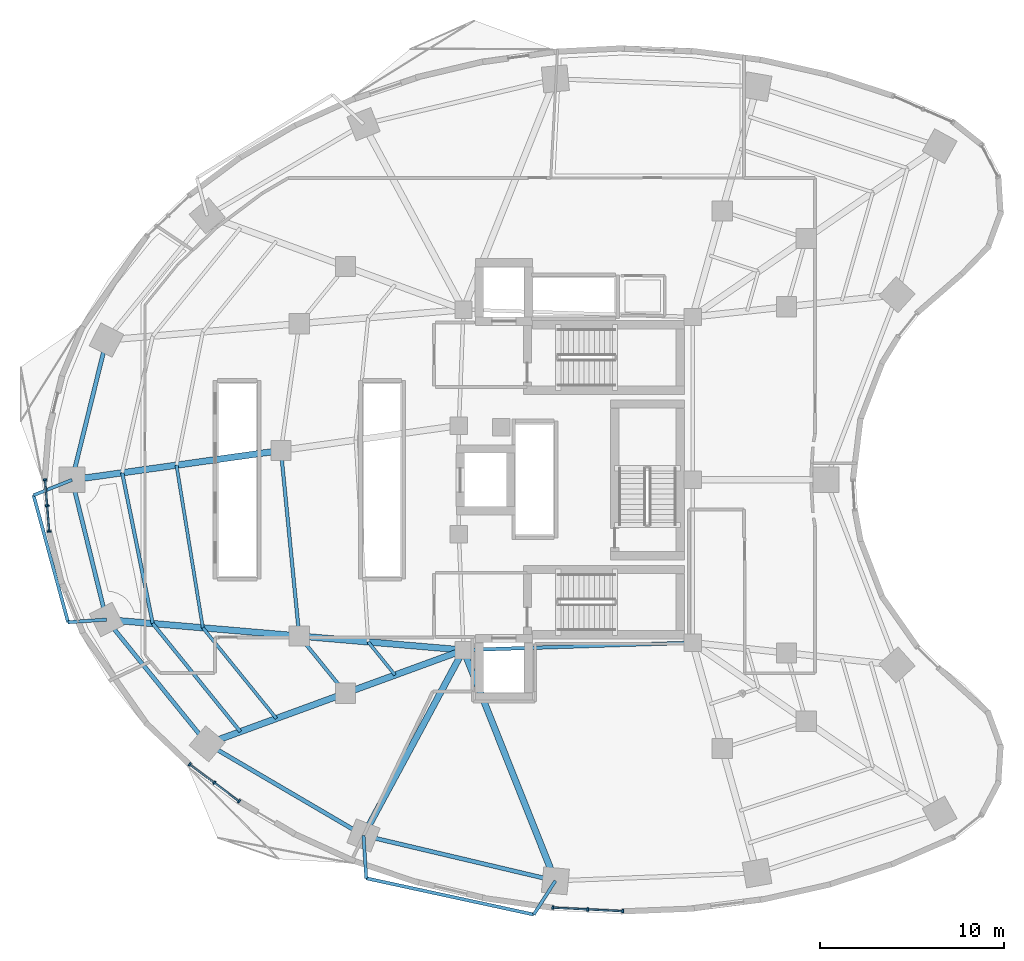
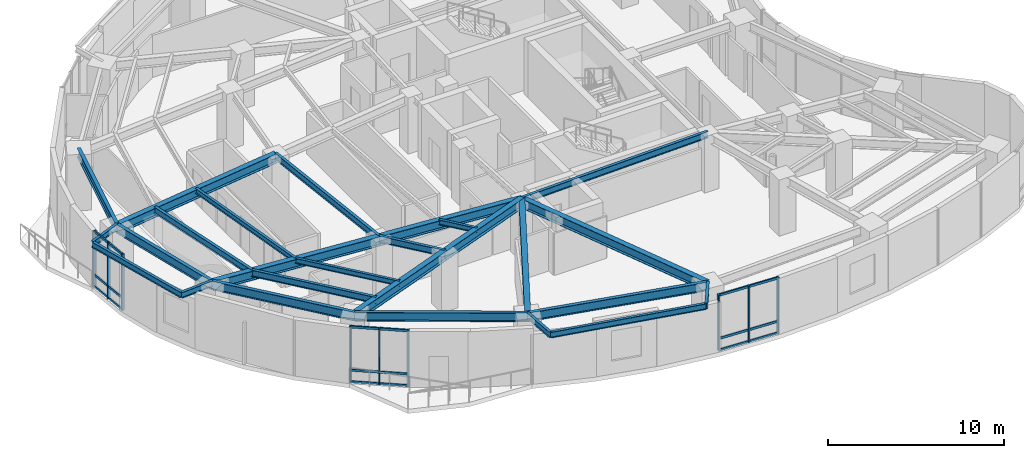
# One storey, part 2 of 13: 27 members, 26 beams, 3 elements without a shape of their own.
"""IFC4 building model written with IfcOpenShell, lengths in metres."""

from ifc_helpers import new_model, si_unit, direction, frame, origin, origin_2d, place, context, subcontext, project, spatial, rectangle, i_section, extrude, material, layer, layer_set, material_profile, profile_set, type_object, element, aggregate, save


model = new_model("IFC4")

# Units and contexts
model_context = context("Model", 3, precision=1e-05, world=origin(), true_north=direction((0.0, 1.0)))
body_context = subcontext(model_context, "Body", "Model", "MODEL_VIEW")
ifc_project = project(units=[si_unit("LENGTHUNIT", "METRE"), si_unit("AREAUNIT", "SQUARE_METRE"), si_unit("VOLUMEUNIT", "CUBIC_METRE"), si_unit("PLANEANGLEUNIT", "RADIAN"), si_unit("MASSUNIT", "GRAM", prefix="KILO")], contexts=[model_context])

# Site, building, storey
site_placement = place(None, origin())
site = spatial("IfcSite", under=ifc_project, at=site_placement, CompositionType="ELEMENT")
building_placement = place(site_placement, origin())
building = spatial("IfcBuilding", under=site, at=building_placement, Name="Korentha Bioscience Tower", CompositionType="ELEMENT")
storey_placement = place(building_placement, frame((0.0, 0.0, 67.800048828125)))
storey = spatial("IfcBuildingStorey", under=building, at=storey_placement, Name="L15", CompositionType="ELEMENT", Elevation=67.800048828125)

# Beams
ifc_material_1 = material(Name="Steel S355", Category="steel")
ifc_material_profile_1 = material_profile(ifc_material_1, i_section(OverallWidth=0.18994140625, OverallDepth=0.45703125, WebThickness=0.009033203125, FlangeThickness=0.014404296875, at=origin_2d()), Name="Steel S355")
ifc_profile_set_1 = profile_set([ifc_material_profile_1], Name="Steel S355 (MB-460)")
beam_type_1 = type_object("IfcBeamType", Name="Mid-Ring Tie Girder W460x74", PredefinedType="BEAM", material=ifc_profile_set_1)
beam_1_placement = place(storey_placement, frame((15.1787109375, 28.593505859375, 3.67138671875), z_axis=(0.098243909277, -0.995162365793, 0.0), x_axis=(0.995162365793, 0.098243909277, 0.0)))
element("IfcBeam", 1, at=beam_1_placement, inside=storey, type_object=beam_type_1, Name="L15 Mid-Ring Tie Girder 07", PredefinedType="BEAM", context=body_context, shape_type="SweptSolid", body=[
    extrude(i_section(OverallWidth=0.18994140625, OverallDepth=0.45703125, WebThickness=0.009033203125, FlangeThickness=0.014404296875, at=origin_2d()), origin(), (0.0, 0.0, 1.0), 10.131591796875),
])
beam_2_placement = place(storey_placement, frame((16.174072265625, 18.510986328125, 3.67138671875), z_axis=(0.629790009744, -0.776765436684, 0.0), x_axis=(0.776765436684, 0.629790009744, 0.0)))
element("IfcBeam", 2, at=beam_2_placement, inside=storey, type_object=beam_type_1, Name="L15 Mid-Ring Tie Girder 08", PredefinedType="BEAM", context=body_context, shape_type="SweptSolid", body=[
    extrude(i_section(OverallWidth=0.18994140625, OverallDepth=0.45703125, WebThickness=0.009033203125, FlangeThickness=0.014404296875, at=origin_2d()), origin(), (0.0, 0.0, 1.0), 3.998291015625),
])
beam_3_placement = place(storey_placement, frame((25.10009765625, 17.75, 3.67138671875), z_axis=(0.999484526071, 0.032104238723, 0.0), x_axis=(-0.032104238723, 0.999484526071, 0.0)))
element("IfcBeam", 3, at=beam_3_placement, inside=storey, type_object=beam_type_1, Name="L15 Core Ring Tie Girder 05", PredefinedType="BEAM", context=body_context, shape_type="SweptSolid", body=[
    extrude(i_section(OverallWidth=0.18994140625, OverallDepth=0.45703125, WebThickness=0.009033203125, FlangeThickness=0.014404296875, at=origin_2d()), origin(), (0.0, 0.0, 1.0), 12.456298828125),
])

# Curtain wall, members
ifc_material_2 = material(Name="Thermally Broken Aluminium Frame", Category="aluminium")
ifc_layer = layer(ifc_material_2, 0.219970703125, Name="Thermally Broken Aluminium Frame")
ifc_layer_set = layer_set([ifc_layer], Name="Thermally Broken Aluminium Frame (CW-T1)")
curtain_wall_type = type_object("IfcCurtainWallType", Name="Standard Bioscience Lab Unitised Curtain Wall CW-T1", PredefinedType="USERDEFINED", material=ifc_layer_set)
curtain_wall_1_placement = place(storey_placement, origin())
curtain_wall_1 = element("IfcCurtainWall", 4, at=curtain_wall_1_placement, inside=storey, type_object=curtain_wall_type, Name="L15 Curtain Wall 19", ObjectType="UNITISED", PredefinedType="USERDEFINED")
ifc_material_3 = material(Name="Anodised Aluminium 6063-T6", Category="aluminium")
ifc_material_profile_2 = material_profile(ifc_material_3, rectangle(XDim=0.090087890625, YDim=0.199951171875, at=origin_2d()), Name="Anodised Aluminium 6063-T6")
ifc_profile_set_2 = profile_set([ifc_material_profile_2], Name="Anodised Aluminium 6063-T6 (CW-MUL)")
member_type_1 = type_object("IfcMemberType", Name="Mullion RECT 90x200", PredefinedType="MULLION", material=ifc_profile_set_2)
member_1_placement = place(storey_placement, frame((2.35986328125, 27.0078125, 0.0), z_axis=(0.0, 0.0, 1.0), x_axis=(0.080820466375, -0.996728675325, 0.0)))
member_1 = element("IfcMember", 5, at=member_1_placement, type_object=member_type_1, Name="CW-L15-19 Mullion 1", PredefinedType="MULLION", context=body_context, shape_type="SweptSolid", body=[
    extrude(rectangle(XDim=0.090087890625, YDim=0.199951171875, at=origin_2d()), origin(), (0.0, 0.0, 1.0), 3.89990234375),
])
member_2_placement = place(storey_placement, frame((2.474365234375, 25.597412109375, 0.0), z_axis=(0.0, 0.0, 1.0), x_axis=(0.080820466375, -0.996728675325, 0.0)))
member_2 = element("IfcMember", 6, at=member_2_placement, type_object=member_type_1, Name="CW-L15-19 Mullion 2", PredefinedType="MULLION", context=body_context, shape_type="SweptSolid", body=[
    extrude(rectangle(XDim=0.090087890625, YDim=0.199951171875, at=origin_2d()), origin(), (0.0, 0.0, 1.0), 3.89990234375),
])
member_3_placement = place(storey_placement, frame((2.588623046875, 24.187255859375, 0.0), z_axis=(0.0, 0.0, 1.0), x_axis=(0.080820466375, -0.996728675325, 0.0)))
member_3 = element("IfcMember", 7, at=member_3_placement, type_object=member_type_1, Name="CW-L15-19 Mullion 3", PredefinedType="MULLION", context=body_context, shape_type="SweptSolid", body=[
    extrude(rectangle(XDim=0.090087890625, YDim=0.199951171875, at=origin_2d()), origin(), (0.0, 0.0, 1.0), 3.89990234375),
])

curtain_wall_2_placement = place(storey_placement, origin())
curtain_wall_2 = element("IfcCurtainWall", 8, at=curtain_wall_2_placement, inside=storey, type_object=curtain_wall_type, Name="L15 Curtain Wall 25", ObjectType="UNITISED", PredefinedType="USERDEFINED")
member_4_placement = place(storey_placement, frame((10.2216796875, 11.538818359375, 0.0), z_axis=(0.0, 0.0, 1.0), x_axis=(0.800797909614, -0.598934644145, 0.0)))
member_4 = element("IfcMember", 9, at=member_4_placement, type_object=member_type_1, Name="CW-L15-25 Mullion 1", PredefinedType="MULLION", context=body_context, shape_type="SweptSolid", body=[
    extrude(rectangle(XDim=0.090087890625, YDim=0.199951171875, at=origin_2d()), origin(), (0.0, 0.0, 1.0), 3.89990234375),
])
member_5_placement = place(storey_placement, frame((11.5634765625, 10.53515625, 0.0), z_axis=(0.0, 0.0, 1.0), x_axis=(0.800797909614, -0.598934644145, 0.0)))
member_5 = element("IfcMember", 10, at=member_5_placement, type_object=member_type_1, Name="CW-L15-25 Mullion 2", PredefinedType="MULLION", context=body_context, shape_type="SweptSolid", body=[
    extrude(rectangle(XDim=0.090087890625, YDim=0.199951171875, at=origin_2d()), origin(), (0.0, 0.0, 1.0), 3.89990234375),
])
member_6_placement = place(storey_placement, frame((12.9052734375, 9.53173828125, 0.0), z_axis=(0.0, 0.0, 1.0), x_axis=(0.800797909614, -0.598934644145, 0.0)))
member_6 = element("IfcMember", 11, at=member_6_placement, type_object=member_type_1, Name="CW-L15-25 Mullion 3", PredefinedType="MULLION", context=body_context, shape_type="SweptSolid", body=[
    extrude(rectangle(XDim=0.090087890625, YDim=0.199951171875, at=origin_2d()), origin(), (0.0, 0.0, 1.0), 3.89990234375),
])

curtain_wall_3_placement = place(storey_placement, origin())
curtain_wall_3 = element("IfcCurtainWall", 12, at=curtain_wall_3_placement, inside=storey, type_object=curtain_wall_type, Name="L15 Curtain Wall 31", ObjectType="UNITISED", PredefinedType="USERDEFINED")
member_7_placement = place(storey_placement, frame((29.9541015625, 3.75244140625, 0.0), z_axis=(0.0, 0.0, 1.0), x_axis=(0.998730551641, -0.050371472279, 0.0)))
member_7 = element("IfcMember", 13, at=member_7_placement, type_object=member_type_1, Name="CW-L15-31 Mullion 1", PredefinedType="MULLION", context=body_context, shape_type="SweptSolid", body=[
    extrude(rectangle(XDim=0.090087890625, YDim=0.199951171875, at=origin_2d()), origin(), (0.0, 0.0, 1.0), 3.89990234375),
])
member_8_placement = place(storey_placement, frame((31.855224609375, 3.656494140625, 0.0), z_axis=(0.0, 0.0, 1.0), x_axis=(0.998730551641, -0.050371472279, 0.0)))
member_8 = element("IfcMember", 14, at=member_8_placement, type_object=member_type_1, Name="CW-L15-31 Mullion 2", PredefinedType="MULLION", context=body_context, shape_type="SweptSolid", body=[
    extrude(rectangle(XDim=0.090087890625, YDim=0.199951171875, at=origin_2d()), origin(), (0.0, 0.0, 1.0), 3.89990234375),
])
member_9_placement = place(storey_placement, frame((33.75634765625, 3.560791015625, 0.0), z_axis=(0.0, 0.0, 1.0), x_axis=(0.998730551641, -0.050371472279, 0.0)))
member_9 = element("IfcMember", 15, at=member_9_placement, type_object=member_type_1, Name="CW-L15-31 Mullion 3", PredefinedType="MULLION", context=body_context, shape_type="SweptSolid", body=[
    extrude(rectangle(XDim=0.090087890625, YDim=0.199951171875, at=origin_2d()), origin(), (0.0, 0.0, 1.0), 3.89990234375),
])

# Beams
ifc_material_profile_3 = material_profile(ifc_material_1, i_section(OverallWidth=0.22802734375, OverallDepth=0.60791015625, WebThickness=0.01123046875, FlangeThickness=0.017333984375, at=origin_2d()), Name="Steel S355")
ifc_profile_set_3 = profile_set([ifc_material_profile_3], Name="Steel S355 (SB-610)")
beam_type_2 = type_object("IfcBeamType", Name="Perimeter Ring Spandrel Girder W610x113", PredefinedType="SPANDREL", material=ifc_profile_set_3)
beam_4_placement = place(storey_placement, frame((5.69580078125, 34.595703125, 3.595947265625), z_axis=(-0.239119105624, -0.970990243682, 0.0), x_axis=(0.970990243682, -0.239119105624, 0.0)))
element("IfcBeam", 16, at=beam_4_placement, inside=storey, type_object=beam_type_2, Name="L15 Perimeter Spandrel Girder 06", PredefinedType="SPANDREL", context=body_context, shape_type="SweptSolid", body=[
    extrude(i_section(OverallWidth=0.22802734375, OverallDepth=0.60791015625, WebThickness=0.01123046875, FlangeThickness=0.017333984375, at=origin_2d()), origin(), (0.0, 0.0, 1.0), 7.82177734375),
])
beam_5_placement = place(storey_placement, frame((3.825439453125, 27.000732421875, 3.595947265625), z_axis=(0.23907563132, -0.971000948768, 0.0), x_axis=(0.971000948768, 0.23907563132, 0.0)))
element("IfcBeam", 17, at=beam_5_placement, inside=storey, type_object=beam_type_2, Name="L15 Perimeter Spandrel Girder 07", PredefinedType="SPANDREL", context=body_context, shape_type="SweptSolid", body=[
    extrude(i_section(OverallWidth=0.22802734375, OverallDepth=0.60791015625, WebThickness=0.01123046875, FlangeThickness=0.017333984375, at=origin_2d()), origin(), (0.0, 0.0, 1.0), 7.8232421875),
])
beam_6_placement = place(storey_placement, frame((5.69580078125, 19.404296875, 3.595947265625), z_axis=(0.629799210231, -0.776757976974, 0.0), x_axis=(0.776757976974, 0.629799210231, 0.0)))
element("IfcBeam", 18, at=beam_6_placement, inside=storey, type_object=beam_type_2, Name="L15 Perimeter Spandrel Girder 08", PredefinedType="SPANDREL", context=body_context, shape_type="SweptSolid", body=[
    extrude(i_section(OverallWidth=0.22802734375, OverallDepth=0.60791015625, WebThickness=0.01123046875, FlangeThickness=0.017333984375, at=origin_2d()), origin(), (0.0, 0.0, 1.0), 8.69189453125),
])
beam_7_placement = place(storey_placement, frame((11.169921875, 12.65283203125, 3.595947265625), z_axis=(0.862656574181, -0.505790109653, 0.0), x_axis=(0.505790109653, 0.862656574181, 0.0)))
element("IfcBeam", 19, at=beam_7_placement, inside=storey, type_object=beam_type_2, Name="L15 Perimeter Spandrel Girder 09", PredefinedType="SPANDREL", context=body_context, shape_type="SweptSolid", body=[
    extrude(i_section(OverallWidth=0.22802734375, OverallDepth=0.60791015625, WebThickness=0.01123046875, FlangeThickness=0.017333984375, at=origin_2d()), origin(), (0.0, 0.0, 1.0), 9.849365234375),
])
beam_8_placement = place(storey_placement, frame((19.66650390625, 7.671142578125, 3.595947265625), z_axis=(0.973207885376, -0.229926970672, 0.0), x_axis=(0.229926970672, 0.973207885376, 0.0)))
element("IfcBeam", 20, at=beam_8_placement, inside=storey, type_object=beam_type_2, Name="L15 Perimeter Spandrel Girder 10", PredefinedType="SPANDREL", context=body_context, shape_type="SweptSolid", body=[
    extrude(i_section(OverallWidth=0.22802734375, OverallDepth=0.60791015625, WebThickness=0.01123046875, FlangeThickness=0.017333984375, at=origin_2d()), origin(), (0.0, 0.0, 1.0), 10.71484375),
])
ifc_material_profile_4 = material_profile(ifc_material_1, i_section(OverallWidth=0.18994140625, OverallDepth=0.45703125, WebThickness=0.009033203125, FlangeThickness=0.014404296875, at=origin_2d()), Name="Steel S355")
ifc_profile_set_4 = profile_set([ifc_material_profile_4], Name="Steel S355 (RB-460)")
beam_type_3 = type_object("IfcBeamType", Name="Radial Laboratory Beam W460x74", PredefinedType="BEAM", material=ifc_profile_set_4)
beam_9_placement = place(storey_placement, frame((6.55029296875, 27.383056640625, 3.67138671875), z_axis=(0.198592296955, -0.980082190222, 0.0), x_axis=(0.980082190222, 0.198592296955, 0.0)))
element("IfcBeam", 21, at=beam_9_placement, inside=storey, type_object=beam_type_3, Name="L15 Secondary Floor Beam JSTO-07", PredefinedType="BEAM", context=body_context, shape_type="SweptSolid", body=[
    extrude(i_section(OverallWidth=0.18994140625, OverallDepth=0.45703125, WebThickness=0.009033203125, FlangeThickness=0.014404296875, at=origin_2d()), origin(), (0.0, 0.0, 1.0), 8.359619140625),
])
beam_10_placement = place(storey_placement, frame((8.21044921875, 19.18994140625, 3.67138671875), z_axis=(0.629797748553, -0.776759162107, 0.0), x_axis=(0.776759162107, 0.629797748553, 0.0)))
element("IfcBeam", 22, at=beam_10_placement, inside=storey, type_object=beam_type_3, Name="L15 Secondary Floor Beam JSTO-08", PredefinedType="BEAM", context=body_context, shape_type="SweptSolid", body=[
    extrude(i_section(OverallWidth=0.18994140625, OverallDepth=0.45703125, WebThickness=0.009033203125, FlangeThickness=0.014404296875, at=origin_2d()), origin(), (0.0, 0.0, 1.0), 7.5654296875),
])
ifc_material_profile_5 = material_profile(ifc_material_1, i_section(OverallWidth=0.35009765625, OverallDepth=0.64990234375, WebThickness=0.01611328125, FlangeThickness=0.02490234375, at=origin_2d()), Name="Steel S355")
ifc_profile_set_5 = profile_set([ifc_material_profile_5], Name="Steel S355 (RB-650)")
beam_type_4 = type_object("IfcBeamType", Name="Radial Laboratory Girder CVS 650x208", PredefinedType="BEAM", material=ifc_profile_set_5)
beam_11_placement = place(storey_placement, frame((15.1787109375, 28.593505859375, 3.574951171875), z_axis=(-0.99030199745, -0.138931471762, 0.0), x_axis=(0.138931471762, -0.99030199745, 0.0)))
element("IfcBeam", 23, at=beam_11_placement, inside=storey, type_object=beam_type_4, Name="L15 Outer Radial Girder 07", PredefinedType="BEAM", context=body_context, shape_type="SweptSolid", body=[
    extrude(i_section(OverallWidth=0.35009765625, OverallDepth=0.64990234375, WebThickness=0.01611328125, FlangeThickness=0.02490234375, at=origin_2d()), origin(), (0.0, 0.0, 1.0), 11.46435546875),
])
beam_12_placement = place(storey_placement, frame((25.10009765625, 17.75, 3.574951171875), z_axis=(-0.996385503026, 0.08494662654, 0.0), x_axis=(-0.08494662654, -0.996385503026, 0.0)))
element("IfcBeam", 24, at=beam_12_placement, inside=storey, type_object=beam_type_4, Name="L15 Inner Radial Girder 08", PredefinedType="BEAM", context=body_context, shape_type="SweptSolid", body=[
    extrude(i_section(OverallWidth=0.35009765625, OverallDepth=0.64990234375, WebThickness=0.01611328125, FlangeThickness=0.02490234375, at=origin_2d()), origin(), (0.0, 0.0, 1.0), 8.95849609375),
])
beam_13_placement = place(storey_placement, frame((16.174072265625, 18.510986328125, 3.574951171875), z_axis=(-0.996385601055, 0.084945476695, 0.0), x_axis=(-0.084945476695, -0.996385601055, 0.0)))
element("IfcBeam", 25, at=beam_13_placement, inside=storey, type_object=beam_type_4, Name="L15 Outer Radial Girder 08", PredefinedType="BEAM", context=body_context, shape_type="SweptSolid", body=[
    extrude(i_section(OverallWidth=0.35009765625, OverallDepth=0.64990234375, WebThickness=0.01611328125, FlangeThickness=0.02490234375, at=origin_2d()), origin(), (0.0, 0.0, 1.0), 10.516357421875),
])
beam_14_placement = place(storey_placement, frame((25.10009765625, 17.75, 3.574951171875), z_axis=(-0.939106237741, -0.343626940498, 0.0), x_axis=(0.343626940498, -0.939106237741, 0.0)))
element("IfcBeam", 26, at=beam_14_placement, inside=storey, type_object=beam_type_4, Name="L15 Inner Radial Girder 09", PredefinedType="BEAM", context=body_context, shape_type="SweptSolid", body=[
    extrude(i_section(OverallWidth=0.35009765625, OverallDepth=0.64990234375, WebThickness=0.01611328125, FlangeThickness=0.02490234375, at=origin_2d()), origin(), (0.0, 0.0, 1.0), 6.823486328125),
])
beam_15_placement = place(storey_placement, frame((18.692138671875, 15.4052734375, 3.574951171875), z_axis=(-0.939106299948, -0.343626770491, 0.0), x_axis=(0.343626770491, -0.939106299948, 0.0)))
element("IfcBeam", 27, at=beam_15_placement, inside=storey, type_object=beam_type_4, Name="L15 Outer Radial Girder 09", PredefinedType="BEAM", context=body_context, shape_type="SweptSolid", body=[
    extrude(i_section(OverallWidth=0.35009765625, OverallDepth=0.64990234375, WebThickness=0.01611328125, FlangeThickness=0.02490234375, at=origin_2d()), origin(), (0.0, 0.0, 1.0), 8.010009765625),
])
beam_16_placement = place(storey_placement, frame((25.10009765625, 17.75, 3.574951171875), z_axis=(-0.47454097106, -0.880233416081, 0.0), x_axis=(0.880233416081, -0.47454097106, 0.0)))
element("IfcBeam", 28, at=beam_16_placement, inside=storey, type_object=beam_type_4, Name="L15 Radial Girder 10", PredefinedType="BEAM", context=body_context, shape_type="SweptSolid", body=[
    extrude(i_section(OverallWidth=0.35009765625, OverallDepth=0.64990234375, WebThickness=0.01611328125, FlangeThickness=0.02490234375, at=origin_2d()), origin(), (0.0, 0.0, 1.0), 11.4501953125),
])
beam_17_placement = place(storey_placement, frame((25.10009765625, 17.75, 3.574951171875), z_axis=(0.369931007413, -0.929059228335, 0.0), x_axis=(0.929059228335, 0.369931007413, 0.0)))
element("IfcBeam", 29, at=beam_17_placement, inside=storey, type_object=beam_type_4, Name="L15 Radial Girder 11", PredefinedType="BEAM", context=body_context, shape_type="SweptSolid", body=[
    extrude(i_section(OverallWidth=0.35009765625, OverallDepth=0.64990234375, WebThickness=0.01611328125, FlangeThickness=0.02490234375, at=origin_2d()), origin(), (0.0, 0.0, 1.0), 13.500244140625),
])
ifc_material_profile_6 = material_profile(ifc_material_1, i_section(OverallWidth=0.1708984375, OverallDepth=0.35498046875, WebThickness=0.007080078125, FlangeThickness=0.01171875, at=origin_2d()), Name="Steel S355")
ifc_profile_set_6 = profile_set([ifc_material_profile_6], Name="Steel S355 (JB-360)")
beam_type_5 = type_object("IfcBeamType", Name="Secondary Laboratory Joist W360x51", PredefinedType="JOIST", material=ifc_profile_set_6)
beam_18_placement = place(storey_placement, frame((9.502197265625, 27.797119140625, 3.722412109375), z_axis=(0.159984999905, -0.987119445561, 0.0), x_axis=(0.987119445561, 0.159984999905, 0.0)))
element("IfcBeam", 30, at=beam_18_placement, inside=storey, type_object=beam_type_5, Name="L15 Secondary Floor Beam JST-07", PredefinedType="JOIST", context=body_context, shape_type="SweptSolid", body=[
    extrude(i_section(OverallWidth=0.1708984375, OverallDepth=0.35498046875, WebThickness=0.007080078125, FlangeThickness=0.01171875, at=origin_2d()), origin(), (0.0, 0.0, 1.0), 8.95458984375),
])
beam_19_placement = place(storey_placement, frame((10.934814453125, 18.957763671875, 3.722412109375), z_axis=(0.629786899984, -0.776767958021, 0.0), x_axis=(0.776767958021, 0.629786899984, 0.0)))
element("IfcBeam", 31, at=beam_19_placement, inside=storey, type_object=beam_type_5, Name="L15 Secondary Floor Beam JST-08", PredefinedType="JOIST", context=body_context, shape_type="SweptSolid", body=[
    extrude(i_section(OverallWidth=0.1708984375, OverallDepth=0.35498046875, WebThickness=0.007080078125, FlangeThickness=0.01171875, at=origin_2d()), origin(), (0.0, 0.0, 1.0), 6.34521484375),
])
beam_20_placement = place(storey_placement, frame((19.9228515625, 18.19140625, 3.722412109375), z_axis=(0.629791657613, -0.776764100613, 0.0), x_axis=(0.776764100613, 0.629791657613, 0.0)))
element("IfcBeam", 32, at=beam_20_placement, inside=storey, type_object=beam_type_5, Name="L15 Inner Bay Joist 08", PredefinedType="JOIST", context=body_context, shape_type="SweptSolid", body=[
    extrude(i_section(OverallWidth=0.1708984375, OverallDepth=0.35498046875, WebThickness=0.007080078125, FlangeThickness=0.01171875, at=origin_2d()), origin(), (0.0, 0.0, 1.0), 2.31884765625),
])
ifc_material_profile_7 = material_profile(ifc_material_1, i_section(OverallWidth=0.177978515625, OverallDepth=0.406982421875, WebThickness=0.0078125, FlangeThickness=0.0126953125, at=origin_2d()), Name="Steel S355")
ifc_profile_set_7 = profile_set([ifc_material_profile_7], Name="Steel S355 (CB-410)")
beam_type_6 = type_object("IfcBeamType", Name="Sun-Ledge Cantilever Beam W410x60", PredefinedType="BEAM", material=ifc_profile_set_7)
beam_21_placement = place(storey_placement, frame((3.825439453125, 27.000732421875, 3.698486328125), z_axis=(-0.928379434426, -0.37163372524, 0.0), x_axis=(0.37163372524, -0.928379434426, 0.0)))
element("IfcBeam", 33, at=beam_21_placement, inside=storey, type_object=beam_type_6, Name="L15 Balcony Cantilever Bracket A-L16-02", PredefinedType="BEAM", context=body_context, shape_type="SweptSolid", body=[
    extrude(i_section(OverallWidth=0.177978515625, OverallDepth=0.406982421875, WebThickness=0.0078125, FlangeThickness=0.0126953125, at=origin_2d()), origin(), (0.0, 0.0, 1.0), 2.251220703125),
])
beam_22_placement = place(storey_placement, frame((5.69580078125, 19.404296875, 3.698486328125), z_axis=(-0.997660928034, -0.068356950445, 0.0), x_axis=(0.068356950445, -0.997660928034, 0.0)))
element("IfcBeam", 34, at=beam_22_placement, inside=storey, type_object=beam_type_6, Name="L15 Balcony Cantilever Bracket B-L16-02", PredefinedType="BEAM", context=body_context, shape_type="SweptSolid", body=[
    extrude(i_section(OverallWidth=0.177978515625, OverallDepth=0.406982421875, WebThickness=0.0078125, FlangeThickness=0.0126953125, at=origin_2d()), origin(), (0.0, 0.0, 1.0), 2.08935546875),
])
beam_23_placement = place(storey_placement, frame((1.7353515625, 26.1640625, 3.698486328125), z_axis=(0.262265332065, -0.964995800818, 0.0), x_axis=(0.964995800818, 0.262265332065, 0.0)))
element("IfcBeam", 35, at=beam_23_placement, inside=storey, type_object=beam_type_6, Name="L15 Balcony Edge Trimmer Beam L16-02", PredefinedType="BEAM", context=body_context, shape_type="SweptSolid", body=[
    extrude(i_section(OverallWidth=0.177978515625, OverallDepth=0.406982421875, WebThickness=0.0078125, FlangeThickness=0.0126953125, at=origin_2d()), origin(), (0.0, 0.0, 1.0), 7.153076171875),
])
beam_24_placement = place(storey_placement, frame((19.66650390625, 7.671142578125, 3.698486328125), z_axis=(0.064092946504, -0.997943933399, 0.0), x_axis=(0.997943933399, 0.064092946504, 0.0)))
element("IfcBeam", 36, at=beam_24_placement, inside=storey, type_object=beam_type_6, Name="L15 Balcony Cantilever Bracket A-L16-03", PredefinedType="BEAM", context=body_context, shape_type="SweptSolid", body=[
    extrude(i_section(OverallWidth=0.177978515625, OverallDepth=0.406982421875, WebThickness=0.0078125, FlangeThickness=0.0126953125, at=origin_2d()), origin(), (0.0, 0.0, 1.0), 2.331298828125),
])
beam_25_placement = place(storey_placement, frame((30.09423828125, 5.20751953125, 3.698486328125), z_axis=(-0.539323950512, -0.842098376916, 0.0), x_axis=(0.842098376916, -0.539323950512, 0.0)))
element("IfcBeam", 37, at=beam_25_placement, inside=storey, type_object=beam_type_6, Name="L15 Balcony Cantilever Bracket B-L16-03", PredefinedType="BEAM", context=body_context, shape_type="SweptSolid", body=[
    extrude(i_section(OverallWidth=0.177978515625, OverallDepth=0.406982421875, WebThickness=0.0078125, FlangeThickness=0.0126953125, at=origin_2d()), origin(), (0.0, 0.0, 1.0), 2.1787109375),
])
beam_26_placement = place(storey_placement, frame((19.81591796875, 5.3447265625, 3.698486328125), z_axis=(0.977333174115, -0.211707030529, 0.0), x_axis=(0.211707030529, 0.977333174115, 0.0)))
element("IfcBeam", 38, at=beam_26_placement, inside=storey, type_object=beam_type_6, Name="L15 Balcony Edge Trimmer Beam L16-03", PredefinedType="BEAM", context=body_context, shape_type="SweptSolid", body=[
    extrude(i_section(OverallWidth=0.177978515625, OverallDepth=0.406982421875, WebThickness=0.0078125, FlangeThickness=0.0126953125, at=origin_2d()), origin(), (0.0, 0.0, 1.0), 9.314453125),
])

# Member
ifc_material_profile_8 = material_profile(ifc_material_3, rectangle(XDim=0.090087890625, YDim=0.159912109375, at=origin_2d()), Name="Anodised Aluminium 6063-T6")
ifc_profile_set_8 = profile_set([ifc_material_profile_8], Name="Anodised Aluminium 6063-T6 (CW-TRN)")
member_type_2 = type_object("IfcMemberType", Name="Transom RECT 90x160", PredefinedType="USERDEFINED", material=ifc_profile_set_8)
member_10_placement = place(storey_placement, frame((2.363525390625, 26.963134765625, 0.044921875), z_axis=(0.080880177847, -0.996723831777, 0.0), x_axis=(0.996723831777, 0.080880177847, 0.0)))
member_10 = element("IfcMember", 39, at=member_10_placement, type_object=member_type_2, Name="CW-L15-19 Bay 1 Transom 1", ObjectType="TRANSOM", PredefinedType="USERDEFINED", context=body_context, shape_type="SweptSolid", body=[
    extrude(rectangle(XDim=0.090087890625, YDim=0.159912109375, at=origin_2d()), origin(), (0.0, 0.0, 1.0), 1.3251953125),
])

member_11_placement = place(storey_placement, frame((2.363525390625, 26.963134765625, 0.849853515625), z_axis=(0.080880177847, -0.996723831777, 0.0), x_axis=(0.996723831777, 0.080880177847, 0.0)))
member_11 = element("IfcMember", 40, at=member_11_placement, type_object=member_type_2, Name="CW-L15-19 Bay 1 Transom 2", ObjectType="TRANSOM", PredefinedType="USERDEFINED", context=body_context, shape_type="SweptSolid", body=[
    extrude(rectangle(XDim=0.090087890625, YDim=0.159912109375, at=origin_2d()), origin(), (0.0, 0.0, 1.0), 1.3251953125),
])

member_12_placement = place(storey_placement, frame((2.363525390625, 26.963134765625, 3.85498046875), z_axis=(0.080880177847, -0.996723831777, 0.0), x_axis=(0.996723831777, 0.080880177847, 0.0)))
member_12 = element("IfcMember", 41, at=member_12_placement, type_object=member_type_2, Name="CW-L15-19 Bay 1 Transom 3", ObjectType="TRANSOM", PredefinedType="USERDEFINED", context=body_context, shape_type="SweptSolid", body=[
    extrude(rectangle(XDim=0.090087890625, YDim=0.159912109375, at=origin_2d()), origin(), (0.0, 0.0, 1.0), 1.3251953125),
])

member_13_placement = place(storey_placement, frame((2.477783203125, 25.552734375, 0.044921875), z_axis=(0.080880177847, -0.996723831777, 0.0), x_axis=(0.996723831777, 0.080880177847, 0.0)))
member_13 = element("IfcMember", 42, at=member_13_placement, type_object=member_type_2, Name="CW-L15-19 Bay 2 Transom 1", ObjectType="TRANSOM", PredefinedType="USERDEFINED", context=body_context, shape_type="SweptSolid", body=[
    extrude(rectangle(XDim=0.090087890625, YDim=0.159912109375, at=origin_2d()), origin(), (0.0, 0.0, 1.0), 1.3251953125),
])

member_14_placement = place(storey_placement, frame((2.477783203125, 25.552734375, 0.849853515625), z_axis=(0.080880177847, -0.996723831777, 0.0), x_axis=(0.996723831777, 0.080880177847, 0.0)))
member_14 = element("IfcMember", 43, at=member_14_placement, type_object=member_type_2, Name="CW-L15-19 Bay 2 Transom 2", ObjectType="TRANSOM", PredefinedType="USERDEFINED", context=body_context, shape_type="SweptSolid", body=[
    extrude(rectangle(XDim=0.090087890625, YDim=0.159912109375, at=origin_2d()), origin(), (0.0, 0.0, 1.0), 1.3251953125),
])

member_15_placement = place(storey_placement, frame((2.477783203125, 25.552734375, 3.85498046875), z_axis=(0.080880177847, -0.996723831777, 0.0), x_axis=(0.996723831777, 0.080880177847, 0.0)))
member_15 = element("IfcMember", 44, at=member_15_placement, type_object=member_type_2, Name="CW-L15-19 Bay 2 Transom 3", ObjectType="TRANSOM", PredefinedType="USERDEFINED", context=body_context, shape_type="SweptSolid", body=[
    extrude(rectangle(XDim=0.090087890625, YDim=0.159912109375, at=origin_2d()), origin(), (0.0, 0.0, 1.0), 1.3251953125),
])

aggregate(curtain_wall_1, [member_1, member_2, member_3, member_10, member_11, member_12, member_13, member_14, member_15])

member_16_placement = place(storey_placement, frame((10.2578125, 11.51171875, 0.044921875), z_axis=(0.8008676283, -0.598841416354, 0.0), x_axis=(0.598841416354, 0.8008676283, 0.0)))
member_16 = element("IfcMember", 45, at=member_16_placement, type_object=member_type_2, Name="CW-L15-25 Bay 1 Transom 1", ObjectType="TRANSOM", PredefinedType="USERDEFINED", context=body_context, shape_type="SweptSolid", body=[
    extrude(rectangle(XDim=0.090087890625, YDim=0.159912109375, at=origin_2d()), origin(), (0.0, 0.0, 1.0), 1.58544921875),
])

member_17_placement = place(storey_placement, frame((10.2578125, 11.51171875, 0.849853515625), z_axis=(0.8008676283, -0.598841416354, 0.0), x_axis=(0.598841416354, 0.8008676283, 0.0)))
member_17 = element("IfcMember", 46, at=member_17_placement, type_object=member_type_2, Name="CW-L15-25 Bay 1 Transom 2", ObjectType="TRANSOM", PredefinedType="USERDEFINED", context=body_context, shape_type="SweptSolid", body=[
    extrude(rectangle(XDim=0.090087890625, YDim=0.159912109375, at=origin_2d()), origin(), (0.0, 0.0, 1.0), 1.58544921875),
])

member_18_placement = place(storey_placement, frame((10.2578125, 11.51171875, 3.85498046875), z_axis=(0.8008676283, -0.598841416354, 0.0), x_axis=(0.598841416354, 0.8008676283, 0.0)))
member_18 = element("IfcMember", 47, at=member_18_placement, type_object=member_type_2, Name="CW-L15-25 Bay 1 Transom 3", ObjectType="TRANSOM", PredefinedType="USERDEFINED", context=body_context, shape_type="SweptSolid", body=[
    extrude(rectangle(XDim=0.090087890625, YDim=0.159912109375, at=origin_2d()), origin(), (0.0, 0.0, 1.0), 1.58544921875),
])

member_19_placement = place(storey_placement, frame((11.599609375, 10.50830078125, 0.044921875), z_axis=(0.800738536228, -0.59901402037, 0.0), x_axis=(0.59901402037, 0.800738536228, 0.0)))
member_19 = element("IfcMember", 48, at=member_19_placement, type_object=member_type_2, Name="CW-L15-25 Bay 2 Transom 1", ObjectType="TRANSOM", PredefinedType="USERDEFINED", context=body_context, shape_type="SweptSolid", body=[
    extrude(rectangle(XDim=0.090087890625, YDim=0.159912109375, at=origin_2d()), origin(), (0.0, 0.0, 1.0), 1.58544921875),
])

member_20_placement = place(storey_placement, frame((11.599609375, 10.50830078125, 0.849853515625), z_axis=(0.800738536228, -0.59901402037, 0.0), x_axis=(0.59901402037, 0.800738536228, 0.0)))
member_20 = element("IfcMember", 49, at=member_20_placement, type_object=member_type_2, Name="CW-L15-25 Bay 2 Transom 2", ObjectType="TRANSOM", PredefinedType="USERDEFINED", context=body_context, shape_type="SweptSolid", body=[
    extrude(rectangle(XDim=0.090087890625, YDim=0.159912109375, at=origin_2d()), origin(), (0.0, 0.0, 1.0), 1.58544921875),
])

member_21_placement = place(storey_placement, frame((11.599609375, 10.50830078125, 3.85498046875), z_axis=(0.800738536228, -0.59901402037, 0.0), x_axis=(0.59901402037, 0.800738536228, 0.0)))
member_21 = element("IfcMember", 50, at=member_21_placement, type_object=member_type_2, Name="CW-L15-25 Bay 2 Transom 3", ObjectType="TRANSOM", PredefinedType="USERDEFINED", context=body_context, shape_type="SweptSolid", body=[
    extrude(rectangle(XDim=0.090087890625, YDim=0.159912109375, at=origin_2d()), origin(), (0.0, 0.0, 1.0), 1.58544921875),
])

aggregate(curtain_wall_2, [member_4, member_5, member_6, member_16, member_17, member_18, member_19, member_20, member_21])

member_22_placement = place(storey_placement, frame((29.9990234375, 3.750244140625, 0.044921875), z_axis=(0.998731776836, -0.050347174085, 0.0), x_axis=(0.050347174085, 0.998731776836, 0.0)))
member_22 = element("IfcMember", 51, at=member_22_placement, type_object=member_type_2, Name="CW-L15-31 Bay 1 Transom 1", ObjectType="TRANSOM", PredefinedType="USERDEFINED", context=body_context, shape_type="SweptSolid", body=[
    extrude(rectangle(XDim=0.090087890625, YDim=0.159912109375, at=origin_2d()), origin(), (0.0, 0.0, 1.0), 1.8134765625),
])

member_23_placement = place(storey_placement, frame((29.9990234375, 3.750244140625, 0.849853515625), z_axis=(0.998731776836, -0.050347174085, 0.0), x_axis=(0.050347174085, 0.998731776836, 0.0)))
member_23 = element("IfcMember", 52, at=member_23_placement, type_object=member_type_2, Name="CW-L15-31 Bay 1 Transom 2", ObjectType="TRANSOM", PredefinedType="USERDEFINED", context=body_context, shape_type="SweptSolid", body=[
    extrude(rectangle(XDim=0.090087890625, YDim=0.159912109375, at=origin_2d()), origin(), (0.0, 0.0, 1.0), 1.8134765625),
])

member_24_placement = place(storey_placement, frame((29.9990234375, 3.750244140625, 3.85498046875), z_axis=(0.998731776836, -0.050347174085, 0.0), x_axis=(0.050347174085, 0.998731776836, 0.0)))
member_24 = element("IfcMember", 53, at=member_24_placement, type_object=member_type_2, Name="CW-L15-31 Bay 1 Transom 3", ObjectType="TRANSOM", PredefinedType="USERDEFINED", context=body_context, shape_type="SweptSolid", body=[
    extrude(rectangle(XDim=0.090087890625, YDim=0.159912109375, at=origin_2d()), origin(), (0.0, 0.0, 1.0), 1.8134765625),
])

member_25_placement = place(storey_placement, frame((31.900146484375, 3.654296875, 0.044921875), z_axis=(0.998731776836, -0.050347174085, 0.0), x_axis=(0.050347174085, 0.998731776836, 0.0)))
member_25 = element("IfcMember", 54, at=member_25_placement, type_object=member_type_2, Name="CW-L15-31 Bay 2 Transom 1", ObjectType="TRANSOM", PredefinedType="USERDEFINED", context=body_context, shape_type="SweptSolid", body=[
    extrude(rectangle(XDim=0.090087890625, YDim=0.159912109375, at=origin_2d()), origin(), (0.0, 0.0, 1.0), 1.8134765625),
])

member_26_placement = place(storey_placement, frame((31.900146484375, 3.654296875, 0.849853515625), z_axis=(0.998731776836, -0.050347174085, 0.0), x_axis=(0.050347174085, 0.998731776836, 0.0)))
member_26 = element("IfcMember", 55, at=member_26_placement, type_object=member_type_2, Name="CW-L15-31 Bay 2 Transom 2", ObjectType="TRANSOM", PredefinedType="USERDEFINED", context=body_context, shape_type="SweptSolid", body=[
    extrude(rectangle(XDim=0.090087890625, YDim=0.159912109375, at=origin_2d()), origin(), (0.0, 0.0, 1.0), 1.8134765625),
])

member_27_placement = place(storey_placement, frame((31.900146484375, 3.654296875, 3.85498046875), z_axis=(0.998731776836, -0.050347174085, 0.0), x_axis=(0.050347174085, 0.998731776836, 0.0)))
member_27 = element("IfcMember", 56, at=member_27_placement, type_object=member_type_2, Name="CW-L15-31 Bay 2 Transom 3", ObjectType="TRANSOM", PredefinedType="USERDEFINED", context=body_context, shape_type="SweptSolid", body=[
    extrude(rectangle(XDim=0.090087890625, YDim=0.159912109375, at=origin_2d()), origin(), (0.0, 0.0, 1.0), 1.8134765625),
])

aggregate(curtain_wall_3, [member_7, member_8, member_9, member_22, member_23, member_24, member_25, member_26, member_27])

save(model, "model.ifc")
